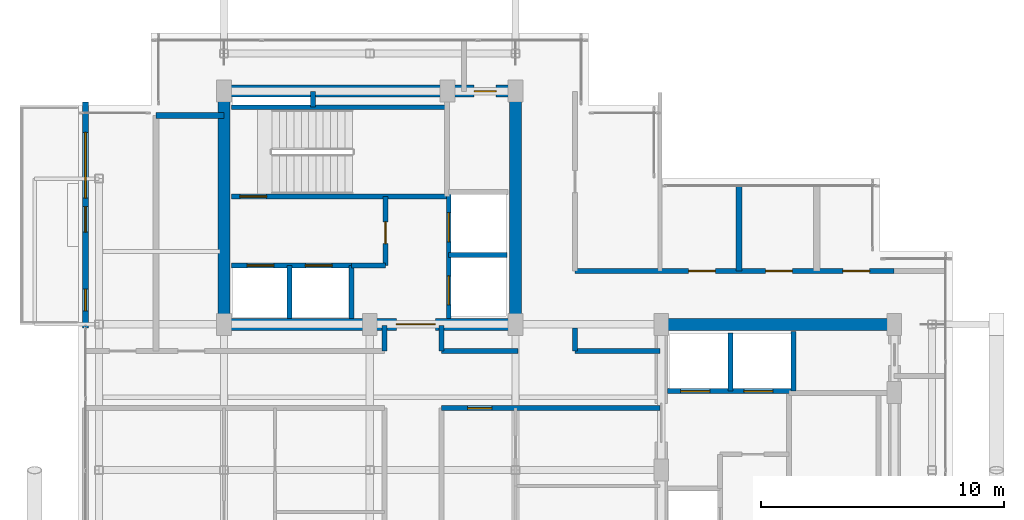
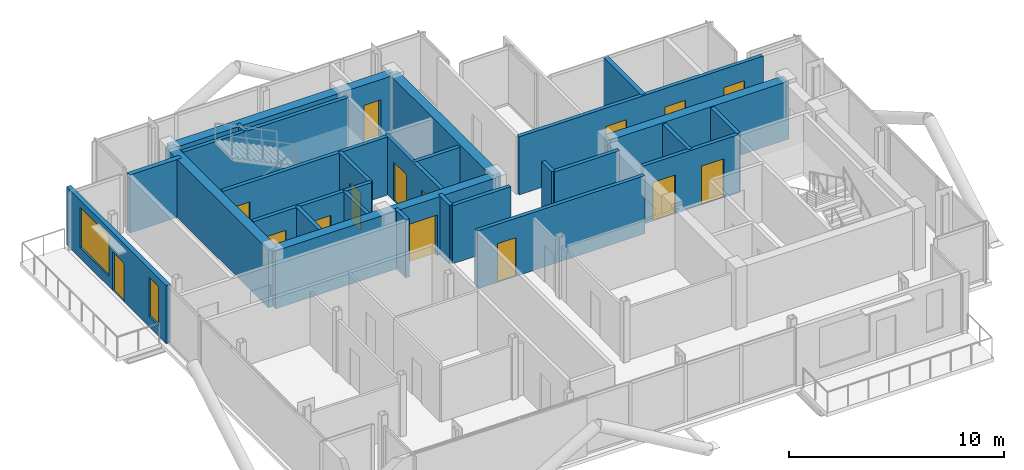
# One storey, part 16 of 19: 28 walls, 15 doors, 2 windows, 17 openings.
"""IFC4 building model written with IfcOpenShell, lengths in metres."""

from ifc_helpers import new_model, si_unit, direction, frame, frame_2d, origin, place, context, subcontext, project, spatial, rectangle, extrude, material, layer, layer_set, type_object, element, fill, save


model = new_model("IFC4")

# Units and contexts
model_context = context("Model", 3, precision=1e-05, world=origin(), true_north=direction((0.0, 1.0)))
body_context = subcontext(model_context, "Body", "Model", "MODEL_VIEW")
ifc_project = project(units=[si_unit("LENGTHUNIT", "METRE"), si_unit("AREAUNIT", "SQUARE_METRE"), si_unit("VOLUMEUNIT", "CUBIC_METRE"), si_unit("PLANEANGLEUNIT", "RADIAN"), si_unit("MASSUNIT", "GRAM", prefix="KILO"), si_unit("THERMODYNAMICTEMPERATUREUNIT", "KELVIN"), si_unit("POWERUNIT", "WATT")], contexts=[model_context])

# Site, building, storey
site_placement = place(None, origin())
site = spatial("IfcSite", under=ifc_project, at=site_placement, CompositionType="ELEMENT")
building_placement = place(site_placement, origin())
building = spatial("IfcBuilding", under=site, at=building_placement, Name="Svarakhadi Broadcast Tower", CompositionType="ELEMENT")
storey_placement = place(building_placement, frame((0.0, 0.0, 243.199951171875)))
storey = spatial("IfcBuildingStorey", under=building, at=storey_placement, Name="L60", CompositionType="ELEMENT", Elevation=243.199951171875)

# Walls
ifc_material_1 = material(Name="Double-Stud Acoustic Studio Partition STC-62", Category="gypsum")
ifc_layer_1 = layer(ifc_material_1, 0.199951171875)
ifc_layer_set_1 = layer_set([ifc_layer_1], Name="Double-Stud Acoustic Studio Partition STC-62")
wall_type_1 = type_object("IfcWallType", Name="Wall_Acoust_200", PredefinedType="PARTITIONING", material=ifc_layer_set_1)
for number, where, z_axis, x_axis, name in (
    (1, (12.60009765625, 16.89990234375, 0.0), (0.0, 0.0, 1.0), (0.0, 1.0, 0.0), "L60 Upper Tower Concourse Wall"),
    (2, (14.949951171875, 17.949951171875, 0.0), (0.0, 0.0, 1.0), (0.0, -1.0, 0.0), "L60 Upper Tower Concourse Wall"),
):
    element("IfcWall", number, at=place(storey_placement, frame(where, z_axis=z_axis, x_axis=x_axis)), inside=storey, type_object=wall_type_1, Name=name, PredefinedType="PARTITIONING", context=body_context, shape_type="SweptSolid", body=[
        extrude(rectangle(XDim=1.050048828125, YDim=0.199951171875, at=frame_2d((0.52490234375, 0.0))), origin(), (0.0, 0.0, 1.0), 3.300048828125),
    ])
wall_1_placement = place(storey_placement, frame((14.949951171875, 16.89990234375, 0.0), z_axis=(0.0, 0.0, 1.0), x_axis=(1.0, 0.0, 0.0)))
element("IfcWall", 3, at=wall_1_placement, inside=storey, type_object=wall_type_1, Name="L60 Upper Tower Concourse Wall", PredefinedType="PARTITIONING", context=body_context, shape_type="SweptSolid", body=[
    extrude(rectangle(XDim=3.150146484375, YDim=0.199951171875, at=frame_2d((1.5751953125, 0.0))), origin(), (0.0, 0.0, 1.0), 3.300048828125),
])

# Wall, openings, doors
wall_2_placement = place(storey_placement, frame((20.449951171875, 20.199951171875, 0.0), z_axis=(0.0, 0.0, 1.0), x_axis=(1.0, 0.0, 0.0)))
wall_2 = element("IfcWall", 4, at=wall_2_placement, inside=storey, type_object=wall_type_1, Name="L60 Upper Tower Concourse Wall", PredefinedType="PARTITIONING", context=body_context, shape_type="SweptSolid", body=[
    extrude(rectangle(XDim=13.130126953125, YDim=0.199951171875, at=frame_2d((6.56494140625, 0.0))), origin(), (0.0, 0.0, 1.0), 3.300048828125),
])
opening_1_placement = place(wall_2_placement, frame((4.675048828125, 0.0, 0.0)))
opening_1 = element("IfcOpeningElement", 5, at=opening_1_placement, cuts=wall_2, Name="Opening D-11", PredefinedType="OPENING", context=body_context, shape_type="SweptSolid", body=[
    extrude(rectangle(XDim=1.10009765625, YDim=2.25, at=frame_2d((0.550048828125, 1.125))), frame((0.0, 0.10986328125, 0.0), z_axis=(0.0, -1.0, 0.0), x_axis=(1.0, 0.0, 0.0)), (0.0, 0.0, 1.0), 0.219970703125),
])
opening_2_placement = place(wall_2_placement, frame((7.85009765625, 0.0, 0.0)))
opening_2 = element("IfcOpeningElement", 6, at=opening_2_placement, cuts=wall_2, Name="Opening D-10", PredefinedType="OPENING", context=body_context, shape_type="SweptSolid", body=[
    extrude(rectangle(XDim=1.10009765625, YDim=2.25, at=frame_2d((0.550048828125, 1.125))), frame((0.0, 0.10986328125, 0.0), z_axis=(0.0, -1.0, 0.0), x_axis=(1.0, 0.0, 0.0)), (0.0, 0.0, 1.0), 0.219970703125),
])
opening_3_placement = place(wall_2_placement, frame((11.02490234375, 0.0, 0.0)))
opening_3 = element("IfcOpeningElement", 7, at=opening_3_placement, cuts=wall_2, Name="Opening D-11", PredefinedType="OPENING", context=body_context, shape_type="SweptSolid", body=[
    extrude(rectangle(XDim=1.10009765625, YDim=2.25, at=frame_2d((0.550048828125, 1.125))), frame((0.0, 0.10986328125, 0.0), z_axis=(0.0, -1.0, 0.0), x_axis=(1.0, 0.0, 0.0)), (0.0, 0.0, 1.0), 0.219970703125),
])
ifc_material_2 = material(Name="Solid-Core Teak Veneer Acoustic Timber Leaf", Category="wood")
door_type_1 = type_object("IfcDoorType", Name="Door_Acoust_D10", OperationType="SINGLE_SWING_LEFT", PredefinedType="DOOR", material=ifc_material_2)
door_1_placement = place(opening_2_placement, origin())
door_1 = element("IfcDoor", 8, at=door_1_placement, inside=storey, type_object=door_type_1, Name="L60 Private Sommelier Tasting Pantry Door", OperationType="SINGLE_SWING_LEFT", OverallHeight=2.25, OverallWidth=1.10009765625, PredefinedType="DOOR", context=body_context, shape_type="SweptSolid", body=[
    extrude(rectangle(XDim=1.10009765625, YDim=2.25, at=frame_2d((0.550048828125, 1.125))), frame((0.0, 0.02490234375, 0.0), z_axis=(0.0, -1.0, 0.0), x_axis=(1.0, 0.0, 0.0)), (0.0, 0.0, 1.0), 0.050048828125),
])
fill(opening_2, door_1)
door_type_2 = type_object("IfcDoorType", Name="Door_Acoust_D11", OperationType="SINGLE_SWING_RIGHT", PredefinedType="DOOR", material=ifc_material_2)
door_2_placement = place(opening_1_placement, origin())
door_2 = element("IfcDoor", 9, at=door_2_placement, inside=storey, type_object=door_type_2, Name="L60 Harbour Sky Club Reading Room Door", OperationType="SINGLE_SWING_RIGHT", OverallHeight=2.25, OverallWidth=1.10009765625, PredefinedType="DOOR", context=body_context, shape_type="SweptSolid", body=[
    extrude(rectangle(XDim=1.10009765625, YDim=2.25, at=frame_2d((0.550048828125, 1.125))), frame((0.0, 0.02490234375, 0.0), z_axis=(0.0, -1.0, 0.0), x_axis=(1.0, 0.0, 0.0)), (0.0, 0.0, 1.0), 0.050048828125),
])
fill(opening_1, door_2)
door_3_placement = place(opening_3_placement, origin())
door_3 = element("IfcDoor", 10, at=door_3_placement, inside=storey, type_object=door_type_2, Name="L60 VIP Guest Concierge Office Door", OperationType="SINGLE_SWING_RIGHT", OverallHeight=2.25, OverallWidth=1.10009765625, PredefinedType="DOOR", context=body_context, shape_type="SweptSolid", body=[
    extrude(rectangle(XDim=1.10009765625, YDim=2.25, at=frame_2d((0.550048828125, 1.125))), frame((0.0, 0.02490234375, 0.0), z_axis=(0.0, -1.0, 0.0), x_axis=(1.0, 0.0, 0.0)), (0.0, 0.0, 1.0), 0.050048828125),
])
fill(opening_3, door_3)

# Walls
wall_3_placement = place(storey_placement, frame((20.449951171875, 17.85009765625, 0.0), z_axis=(0.0, 0.0, 1.0), x_axis=(0.0, -1.0, 0.0)))
element("IfcWall", 11, at=wall_3_placement, inside=storey, type_object=wall_type_1, Name="L60 Upper Tower Concourse Wall", PredefinedType="PARTITIONING", context=body_context, shape_type="SweptSolid", body=[
    extrude(rectangle(XDim=0.9501953125, YDim=0.199951171875, at=frame_2d((0.47509765625, 0.0))), origin(), (0.0, 0.0, 1.0), 3.300048828125),
])
wall_4_placement = place(storey_placement, frame((20.449951171875, 16.89990234375, 0.0), z_axis=(0.0, 0.0, 1.0), x_axis=(1.0, 0.0, 0.0)))
element("IfcWall", 12, at=wall_4_placement, inside=storey, type_object=wall_type_1, Name="L60 Upper Tower Concourse Wall", PredefinedType="PARTITIONING", context=body_context, shape_type="SweptSolid", body=[
    extrude(rectangle(XDim=3.5, YDim=0.199951171875, at=frame_2d((1.75, 0.0))), origin(), (0.0, 0.0, 1.0), 3.300048828125),
])

# Wall, opening, door
wall_5_placement = place(storey_placement, frame((23.949951171875, 14.550048828125, 0.0), z_axis=(0.0, 0.0, 1.0), x_axis=(-1.0, 0.0, 0.0)))
wall_5 = element("IfcWall", 13, at=wall_5_placement, inside=storey, type_object=wall_type_1, Name="L60 Upper Tower Concourse Wall", PredefinedType="PARTITIONING", context=body_context, shape_type="SweptSolid", body=[
    extrude(rectangle(XDim=9.0, YDim=0.199951171875, at=frame_2d((4.5, 0.0))), origin(), (0.0, 0.0, 1.0), 3.300048828125),
])
opening_4_placement = place(wall_5_placement, frame((6.925048828125, 0.0, 0.0)))
opening_4 = element("IfcOpeningElement", 14, at=opening_4_placement, cuts=wall_5, Name="Opening D-08", PredefinedType="OPENING", context=body_context, shape_type="SweptSolid", body=[
    extrude(rectangle(XDim=1.0, YDim=2.199951171875, at=frame_2d((0.5, 1.10009765625))), frame((0.0, 0.10986328125, 0.0), z_axis=(0.0, -1.0, 0.0), x_axis=(1.0, 0.0, 0.0)), (0.0, 0.0, 1.0), 0.219970703125),
])
door_type_3 = type_object("IfcDoorType", Name="Door_Suite_D08", OperationType="SINGLE_SWING_LEFT", PredefinedType="DOOR", material=ifc_material_2)
door_4_placement = place(opening_4_placement, origin())
door_4 = element("IfcDoor", 15, at=door_4_placement, inside=storey, type_object=door_type_3, Name="L60 Studio B Entrance Door", OperationType="SINGLE_SWING_LEFT", OverallHeight=2.199951171875, OverallWidth=1.0, PredefinedType="DOOR", context=body_context, shape_type="SweptSolid", body=[
    extrude(rectangle(XDim=1.0, YDim=2.199951171875, at=frame_2d((0.5, 1.10009765625))), frame((0.0, 0.02490234375, 0.0), z_axis=(0.0, -1.0, 0.0), x_axis=(1.0, 0.0, 0.0)), (0.0, 0.0, 1.0), 0.050048828125),
])
fill(opening_4, door_4)

# Walls
ifc_layer_2 = layer(ifc_material_1, 0.25)
ifc_layer_set_2 = layer_set([ifc_layer_2], Name="Double-Stud Acoustic Studio Partition STC-62")
wall_type_2 = type_object("IfcWallType", Name="Wall_Acoust_250", PredefinedType="PARTITIONING", material=ifc_layer_set_2)
wall_6_placement = place(storey_placement, frame((27.199951171875, 20.199951171875, 0.0), z_axis=(0.0, 0.0, 1.0), x_axis=(0.0, 1.0, 0.0)))
element("IfcWall", 16, at=wall_6_placement, inside=storey, type_object=wall_type_2, Name="L60 Harbour Sky Club Reading Room Wall", PredefinedType="PARTITIONING", context=body_context, shape_type="SweptSolid", body=[
    extrude(rectangle(XDim=3.5, YDim=0.25, at=frame_2d((1.75, 0.0))), origin(), (0.0, 0.0, 1.0), 3.300048828125),
])
wall_7_placement = place(storey_placement, frame((3.199951171875, 26.60009765625, 0.0), z_axis=(0.0, 0.0, 1.0), x_axis=(1.0, 0.0, 0.0)))
element("IfcWall", 17, at=wall_7_placement, inside=storey, type_object=wall_type_2, Name="L60 Residents Study Office Wall", PredefinedType="PARTITIONING", context=body_context, shape_type="SweptSolid", body=[
    extrude(rectangle(XDim=2.800048828125, YDim=0.25, at=frame_2d((1.39990234375, 0.0))), origin(), (0.0, 0.0, 1.0), 3.300048828125),
])

# Wall, openings, door, windows
ifc_material_3 = material(Name="Concrete C40/50 (IS 456 M50)", Category="concrete")
ifc_layer_3 = layer(ifc_material_3, 0.239990234375)
ifc_layer_set_3 = layer_set([ifc_layer_3], Name="Concrete C40/50 (IS 456 M50)")
wall_type_3 = type_object("IfcWallType", Name="Wall_Ext_240", PredefinedType="SOLIDWALL", material=ifc_layer_set_3)
wall_8_placement = place(storey_placement, frame((0.300048828125, 17.85498046875, 0.0), z_axis=(0.0, 0.0, 1.0), x_axis=(0.0, 1.0, 0.0)))
wall_8 = element("IfcWall", 18, at=wall_8_placement, inside=storey, type_object=wall_type_3, Name="L60 West Tree Balcony Spandrel Wall", PredefinedType="SOLIDWALL", context=body_context, shape_type="SweptSolid", body=[
    extrude(rectangle(XDim=9.2900390625, YDim=0.239990234375, at=frame_2d((4.64501953125, 0.0))), origin(), (0.0, 0.0, 1.0), 3.300048828125),
])
opening_5_placement = place(wall_8_placement, frame((3.945068359375, 0.0, 0.0)))
opening_5 = element("IfcOpeningElement", 19, at=opening_5_placement, cuts=wall_8, Name="Opening ED-05", PredefinedType="OPENING", context=body_context, shape_type="SweptSolid", body=[
    extrude(rectangle(XDim=1.050048828125, YDim=2.199951171875, at=frame_2d((0.52490234375, 1.10009765625))), frame((0.0, 0.1298828125, 0.0), z_axis=(0.0, -1.0, 0.0), x_axis=(1.0, 0.0, 0.0)), (0.0, 0.0, 1.0), 0.260009765625),
])
opening_6_placement = place(wall_8_placement, frame((5.344970703125, 0.0, 0.60009765625)))
opening_6 = element("IfcOpeningElement", 20, at=opening_6_placement, cuts=wall_8, Name="Opening WN-07", PredefinedType="OPENING", context=body_context, shape_type="SweptSolid", body=[
    extrude(rectangle(XDim=2.699951171875, YDim=2.300048828125, at=frame_2d((1.35009765625, 1.14990234375))), frame((0.0, 0.1298828125, 0.0), z_axis=(0.0, -1.0, 0.0), x_axis=(1.0, 0.0, 0.0)), (0.0, 0.0, 1.0), 0.260009765625),
])
opening_7_placement = place(wall_8_placement, frame((0.699951171875, 0.0, 0.60009765625)))
opening_7 = element("IfcOpeningElement", 21, at=opening_7_placement, cuts=wall_8, Name="Opening WN-04", PredefinedType="OPENING", context=body_context, shape_type="SweptSolid", body=[
    extrude(rectangle(XDim=0.89990234375, YDim=2.199951171875, at=frame_2d((0.449951171875, 1.10009765625))), frame((0.0, 0.1298828125, 0.0), z_axis=(0.0, -1.0, 0.0), x_axis=(1.0, 0.0, 0.0)), (0.0, 0.0, 1.0), 0.260009765625),
])
ifc_material_4 = material(Name="Anodised Bronze Aluminium AA 6063-T6", Category="aluminium")
door_type_4 = type_object("IfcDoorType", Name="Door_Ext_ED05", OperationType="SINGLE_SWING_LEFT", PredefinedType="DOOR", material=ifc_material_4)
door_5_placement = place(opening_5_placement, origin())
door_5 = element("IfcDoor", 22, at=door_5_placement, inside=storey, type_object=door_type_4, Name="L60 West Tree Balcony Door", OperationType="SINGLE_SWING_LEFT", OverallHeight=2.199951171875, OverallWidth=1.050048828125, PredefinedType="DOOR", context=body_context, shape_type="SweptSolid", body=[
    extrude(rectangle(XDim=1.050048828125, YDim=2.199951171875, at=frame_2d((0.52490234375, 1.10009765625))), frame((0.0, 0.02490234375, 0.0), z_axis=(0.0, -1.0, 0.0), x_axis=(1.0, 0.0, 0.0)), (0.0, 0.0, 1.0), 0.050048828125),
])
fill(opening_5, door_5)
ifc_material_5 = material(Name="Double Low-E Laminated Acoustic Glass IGU 36 mm", Category="glass")
window_type_1 = type_object("IfcWindowType", Name="Win_Resi_WN07", PartitioningType="SINGLE_PANEL", PredefinedType="WINDOW", material=ifc_material_5)
window_1_placement = place(opening_6_placement, origin())
window_1 = element("IfcWindow", 23, at=window_1_placement, inside=storey, type_object=window_type_1, Name="L60 West Tree Balcony Window", OverallHeight=2.300048828125, OverallWidth=2.699951171875, PartitioningType="SINGLE_PANEL", PredefinedType="WINDOW", context=body_context, shape_type="SweptSolid", body=[
    extrude(rectangle(XDim=2.699951171875, YDim=2.300048828125, at=frame_2d((1.35009765625, 1.14990234375))), frame((0.0, 0.030029296875, 0.0), z_axis=(0.0, -1.0, 0.0), x_axis=(1.0, 0.0, 0.0)), (0.0, 0.0, 1.0), 0.06005859375),
])
fill(opening_6, window_1)
window_type_2 = type_object("IfcWindowType", Name="Win_Slot_WN04", PartitioningType="SINGLE_PANEL", PredefinedType="WINDOW", material=ifc_material_5)
window_2_placement = place(opening_7_placement, origin())
window_2 = element("IfcWindow", 24, at=window_2_placement, inside=storey, type_object=window_type_2, Name="L60 West Secondary Bedroom Slot Window", OverallHeight=2.199951171875, OverallWidth=0.89990234375, PartitioningType="SINGLE_PANEL", PredefinedType="WINDOW", context=body_context, shape_type="SweptSolid", body=[
    extrude(rectangle(XDim=0.89990234375, YDim=2.199951171875, at=frame_2d((0.449951171875, 1.10009765625))), frame((0.0, 0.030029296875, 0.0), z_axis=(0.0, -1.0, 0.0), x_axis=(1.0, 0.0, 0.0)), (0.0, 0.0, 1.0), 0.06005859375),
])
fill(opening_7, window_2)

# Wall
ifc_layer_4 = layer(ifc_material_3, 0.199951171875)
ifc_layer_set_4 = layer_set([ifc_layer_4], Name="Concrete C40/50 (IS 456 M50)")
wall_type_4 = type_object("IfcWallType", Name="Wall_Fire_200", PredefinedType="SOLIDWALL", material=ifc_layer_set_4)
wall_9_placement = place(storey_placement, frame((9.659912109375, 26.93994140625, 0.0), z_axis=(0.0, 0.0, 1.0), x_axis=(0.0, 1.0, 0.0)))
element("IfcWall", 25, at=wall_9_placement, inside=storey, type_object=wall_type_4, Name="L60 Wet Riser Shaft East Wall", PredefinedType="SOLIDWALL", context=body_context, shape_type="SweptSolid", body=[
    extrude(rectangle(XDim=0.64013671875, YDim=0.199951171875, at=frame_2d((0.320068359375, 0.0))), origin(), (0.0, 0.0, 1.0), 3.300048828125),
])

# Wall, opening, door
ifc_material_6 = material(Name="Concrete C50/60 (IS 456 M60)", Category="concrete")
ifc_layer_5 = layer(ifc_material_6, 0.199951171875)
ifc_layer_set_5 = layer_set([ifc_layer_5], Name="Concrete C50/60 (IS 456 M60)")
wall_type_5 = type_object("IfcWallType", Name="Wall_Shear_200", PredefinedType="SHEAR", material=ifc_layer_set_5)
wall_10_placement = place(storey_placement, frame((6.300048828125, 23.260009765625, 0.0), z_axis=(0.0, 0.0, 1.0), x_axis=(1.0, 0.0, 0.0)))
wall_10 = element("IfcWall", 26, at=wall_10_placement, inside=storey, type_object=wall_type_5, Name="L60 Stair ST-01 South RC Shaft Wall", PredefinedType="SHEAR", context=body_context, shape_type="SweptSolid", body=[
    extrude(rectangle(XDim=8.8798828125, YDim=0.199951171875, at=frame_2d((4.43994140625, 0.0))), origin(), (0.0, 0.0, 1.0), 3.300048828125),
])
opening_8_placement = place(wall_10_placement, frame((0.35009765625, 0.0, 0.0)))
opening_8 = element("IfcOpeningElement", 27, at=opening_8_placement, cuts=wall_10, Name="Opening D-01", PredefinedType="OPENING", context=body_context, shape_type="SweptSolid", body=[
    extrude(rectangle(XDim=1.10009765625, YDim=2.199951171875, at=frame_2d((0.550048828125, 1.10009765625))), frame((0.0, 0.10986328125, 0.0), z_axis=(0.0, -1.0, 0.0), x_axis=(1.0, 0.0, 0.0)), (0.0, 0.0, 1.0), 0.219970703125),
])
ifc_material_7 = material(Name="Galvanised Powder-Coated Fire-Rated Steel Leaf", Category="steel")
door_type_5 = type_object("IfcDoorType", Name="Door_Stair_D01", OperationType="SINGLE_SWING_LEFT", PredefinedType="DOOR", material=ifc_material_7)
door_6_placement = place(opening_8_placement, origin())
door_6 = element("IfcDoor", 28, at=door_6_placement, inside=storey, type_object=door_type_5, Name="L60 Protected Exit Stair ST-01 Fire Door", OperationType="SINGLE_SWING_LEFT", OverallHeight=2.199951171875, OverallWidth=1.10009765625, PredefinedType="DOOR", context=body_context, shape_type="SweptSolid", body=[
    extrude(rectangle(XDim=1.10009765625, YDim=2.199951171875, at=frame_2d((0.550048828125, 1.10009765625))), frame((0.0, 0.02490234375, 0.0), z_axis=(0.0, -1.0, 0.0), x_axis=(1.0, 0.0, 0.0)), (0.0, 0.0, 1.0), 0.050048828125),
])
fill(opening_8, door_6)

# Wall
wall_11_placement = place(storey_placement, frame((6.300048828125, 26.93994140625, 0.0), z_axis=(0.0, 0.0, 1.0), x_axis=(1.0, 0.0, 0.0)))
element("IfcWall", 29, at=wall_11_placement, inside=storey, type_object=wall_type_5, Name="L60 Stair ST-01 North RC Shaft Wall", PredefinedType="SHEAR", context=body_context, shape_type="SweptSolid", body=[
    extrude(rectangle(XDim=8.8798828125, YDim=0.199951171875, at=frame_2d((4.43994140625, 0.0))), origin(), (0.0, 0.0, 1.0), 3.300048828125),
])

# Wall, openings, doors
wall_12_placement = place(storey_placement, frame((6.300048828125, 20.419921875, 0.0), z_axis=(0.0, 0.0, 1.0), x_axis=(1.0, 0.0, 0.0)))
wall_12 = element("IfcWall", 30, at=wall_12_placement, inside=storey, type_object=wall_type_5, Name="L60 Firefighting Lift LF-01/02 Shaft Wall", PredefinedType="SHEAR", context=body_context, shape_type="SweptSolid", body=[
    extrude(rectangle(XDim=4.949951171875, YDim=0.199951171875, at=frame_2d((2.47509765625, 0.0))), origin(), (0.0, 0.0, 1.0), 3.300048828125),
])
opening_9_placement = place(wall_12_placement, frame((0.64990234375, 0.0, 0.0)))
opening_9 = element("IfcOpeningElement", 31, at=opening_9_placement, cuts=wall_12, Name="Opening LD-01", PredefinedType="OPENING", context=body_context, shape_type="SweptSolid", body=[
    extrude(rectangle(XDim=1.10009765625, YDim=2.199951171875, at=frame_2d((0.550048828125, 1.10009765625))), frame((0.0, 0.10986328125, 0.0), z_axis=(0.0, -1.0, 0.0), x_axis=(1.0, 0.0, 0.0)), (0.0, 0.0, 1.0), 0.219970703125),
])
opening_10_placement = place(wall_12_placement, frame((3.050048828125, 0.0, 0.0)))
opening_10 = element("IfcOpeningElement", 32, at=opening_10_placement, cuts=wall_12, Name="Opening LD-01", PredefinedType="OPENING", context=body_context, shape_type="SweptSolid", body=[
    extrude(rectangle(XDim=1.10009765625, YDim=2.199951171875, at=frame_2d((0.550048828125, 1.10009765625))), frame((0.0, 0.10986328125, 0.0), z_axis=(0.0, -1.0, 0.0), x_axis=(1.0, 0.0, 0.0)), (0.0, 0.0, 1.0), 0.219970703125),
])
door_type_6 = type_object("IfcDoorType", Name="Door_Lift_LD01", OperationType="SLIDING_TO_LEFT", PredefinedType="DOOR", material=ifc_material_7)
door_7_placement = place(opening_9_placement, origin())
door_7 = element("IfcDoor", 33, at=door_7_placement, inside=storey, type_object=door_type_6, Name="L60 Firefighting Lift LF-01 Landing Door", OperationType="SLIDING_TO_LEFT", OverallHeight=2.199951171875, OverallWidth=1.10009765625, PredefinedType="DOOR", context=body_context, shape_type="SweptSolid", body=[
    extrude(rectangle(XDim=1.10009765625, YDim=2.199951171875, at=frame_2d((0.550048828125, 1.10009765625))), frame((0.0, 0.02490234375, 0.0), z_axis=(0.0, -1.0, 0.0), x_axis=(1.0, 0.0, 0.0)), (0.0, 0.0, 1.0), 0.050048828125),
])
fill(opening_9, door_7)
door_8_placement = place(opening_10_placement, origin())
door_8 = element("IfcDoor", 34, at=door_8_placement, inside=storey, type_object=door_type_6, Name="L60 Firefighting Lift LF-02 Landing Door", OperationType="SLIDING_TO_LEFT", OverallHeight=2.199951171875, OverallWidth=1.10009765625, PredefinedType="DOOR", context=body_context, shape_type="SweptSolid", body=[
    extrude(rectangle(XDim=1.10009765625, YDim=2.199951171875, at=frame_2d((0.550048828125, 1.10009765625))), frame((0.0, 0.02490234375, 0.0), z_axis=(0.0, -1.0, 0.0), x_axis=(1.0, 0.0, 0.0)), (0.0, 0.0, 1.0), 0.050048828125),
])
fill(opening_10, door_8)

# Walls
for number, where, z_axis, x_axis, name in (
    (35, (8.699951171875, 18.25, 0.0), (0.0, 0.0, 1.0), (0.0, 1.0, 0.0), "L60 Firefighting Lift LF-01/02 Divider Wall"),
    (36, (11.25, 18.25, 0.0), (0.0, 0.0, 1.0), (0.0, 1.0, 0.0), "L60 Firefighting Lift LF-02 East Wall"),
):
    element("IfcWall", number, at=place(storey_placement, frame(where, z_axis=z_axis, x_axis=x_axis)), inside=storey, type_object=wall_type_5, Name=name, PredefinedType="SHEAR", context=body_context, shape_type="SweptSolid", body=[
        extrude(rectangle(XDim=2.169921875, YDim=0.199951171875, at=frame_2d((1.0849609375, 0.0))), origin(), (0.0, 0.0, 1.0), 3.300048828125),
    ])
wall_13_placement = place(storey_placement, frame((11.25, 20.419921875, 0.0), z_axis=(0.0, 0.0, 1.0), x_axis=(1.0, 0.0, 0.0)))
element("IfcWall", 37, at=wall_13_placement, inside=storey, type_object=wall_type_5, Name="L60 West Firefighting Lobby South Wall", PredefinedType="SHEAR", context=body_context, shape_type="SweptSolid", body=[
    extrude(rectangle(XDim=1.39990234375, YDim=0.199951171875, at=frame_2d((0.699951171875, 0.0))), origin(), (0.0, 0.0, 1.0), 3.300048828125),
])

# Wall, opening, door
wall_14_placement = place(storey_placement, frame((12.64990234375, 20.419921875, 0.0), z_axis=(0.0, 0.0, 1.0), x_axis=(0.0, 1.0, 0.0)))
wall_14 = element("IfcWall", 38, at=wall_14_placement, inside=storey, type_object=wall_type_5, Name="L60 West Firefighting Lobby East Wall", PredefinedType="SHEAR", context=body_context, shape_type="SweptSolid", body=[
    extrude(rectangle(XDim=2.840087890625, YDim=0.199951171875, at=frame_2d((1.419921875, 0.0))), origin(), (0.0, 0.0, 1.0), 3.300048828125),
])
opening_11_placement = place(wall_14_placement, frame((0.89990234375, 0.0, 0.0)))
opening_11 = element("IfcOpeningElement", 39, at=opening_11_placement, cuts=wall_14, Name="Opening D-04", PredefinedType="OPENING", context=body_context, shape_type="SweptSolid", body=[
    extrude(rectangle(XDim=0.89990234375, YDim=2.14990234375, at=frame_2d((0.449951171875, 1.074951171875))), frame((0.0, 0.10986328125, 0.0), z_axis=(0.0, -1.0, 0.0), x_axis=(1.0, 0.0, 0.0)), (0.0, 0.0, 1.0), 0.219970703125),
])
door_type_7 = type_object("IfcDoorType", Name="Door_Fire_D04", OperationType="SINGLE_SWING_RIGHT", PredefinedType="DOOR", material=ifc_material_7)
door_9_placement = place(opening_11_placement, origin())
door_9 = element("IfcDoor", 40, at=door_9_placement, inside=storey, type_object=door_type_7, Name="L60 West Firefighting Lobby Fire Door", OperationType="SINGLE_SWING_RIGHT", OverallHeight=2.14990234375, OverallWidth=0.89990234375, PredefinedType="DOOR", context=body_context, shape_type="SweptSolid", body=[
    extrude(rectangle(XDim=0.89990234375, YDim=2.14990234375, at=frame_2d((0.449951171875, 1.074951171875))), frame((0.0, 0.02490234375, 0.0), z_axis=(0.0, -1.0, 0.0), x_axis=(1.0, 0.0, 0.0)), (0.0, 0.0, 1.0), 0.050048828125),
])
fill(opening_11, door_9)

# Wall, openings, doors
wall_15_placement = place(storey_placement, frame((15.25, 18.25, 0.0), z_axis=(0.0, 0.0, 1.0), x_axis=(0.0, 1.0, 0.0)))
wall_15 = element("IfcWall", 41, at=wall_15_placement, inside=storey, type_object=wall_type_5, Name="L60 High-Rise Lift LF-13/14 West Shaft Wall", PredefinedType="SHEAR", context=body_context, shape_type="SweptSolid", body=[
    extrude(rectangle(XDim=5.199951171875, YDim=0.199951171875, at=frame_2d((2.60009765625, 0.0))), origin(), (0.0, 0.0, 1.0), 3.300048828125),
])
opening_12_placement = place(wall_15_placement, frame((0.550048828125, 0.0, 0.0)))
opening_12 = element("IfcOpeningElement", 42, at=opening_12_placement, cuts=wall_15, Name="Opening LD-02", PredefinedType="OPENING", context=body_context, shape_type="SweptSolid", body=[
    extrude(rectangle(XDim=1.199951171875, YDim=2.199951171875, at=frame_2d((0.60009765625, 1.10009765625))), frame((0.0, 0.10986328125, 0.0), z_axis=(0.0, -1.0, 0.0), x_axis=(1.0, 0.0, 0.0)), (0.0, 0.0, 1.0), 0.219970703125),
])
opening_13_placement = place(wall_15_placement, frame((3.14990234375, 0.0, 0.0)))
opening_13 = element("IfcOpeningElement", 43, at=opening_13_placement, cuts=wall_15, Name="Opening LD-02", PredefinedType="OPENING", context=body_context, shape_type="SweptSolid", body=[
    extrude(rectangle(XDim=1.199951171875, YDim=2.199951171875, at=frame_2d((0.60009765625, 1.10009765625))), frame((0.0, 0.10986328125, 0.0), z_axis=(0.0, -1.0, 0.0), x_axis=(1.0, 0.0, 0.0)), (0.0, 0.0, 1.0), 0.219970703125),
])
door_type_8 = type_object("IfcDoorType", Name="Door_Lift_LD02", OperationType="SLIDING_TO_RIGHT", PredefinedType="DOOR", material=ifc_material_7)
door_10_placement = place(opening_12_placement, origin())
door_10 = element("IfcDoor", 44, at=door_10_placement, inside=storey, type_object=door_type_8, Name="L60 High-Rise Lift LF-13 Landing Door", OperationType="SLIDING_TO_RIGHT", OverallHeight=2.199951171875, OverallWidth=1.199951171875, PredefinedType="DOOR", context=body_context, shape_type="SweptSolid", body=[
    extrude(rectangle(XDim=1.199951171875, YDim=2.199951171875, at=frame_2d((0.60009765625, 1.10009765625))), frame((0.0, 0.02490234375, 0.0), z_axis=(0.0, -1.0, 0.0), x_axis=(1.0, 0.0, 0.0)), (0.0, 0.0, 1.0), 0.050048828125),
])
fill(opening_12, door_10)
door_11_placement = place(opening_13_placement, origin())
door_11 = element("IfcDoor", 45, at=door_11_placement, inside=storey, type_object=door_type_8, Name="L60 High-Rise Lift LF-14 Landing Door", OperationType="SLIDING_TO_RIGHT", OverallHeight=2.199951171875, OverallWidth=1.199951171875, PredefinedType="DOOR", context=body_context, shape_type="SweptSolid", body=[
    extrude(rectangle(XDim=1.199951171875, YDim=2.199951171875, at=frame_2d((0.60009765625, 1.10009765625))), frame((0.0, 0.02490234375, 0.0), z_axis=(0.0, -1.0, 0.0), x_axis=(1.0, 0.0, 0.0)), (0.0, 0.0, 1.0), 0.050048828125),
])
fill(opening_13, door_11)

# Wall
wall_16_placement = place(storey_placement, frame((15.25, 20.85009765625, 0.0), z_axis=(0.0, 0.0, 1.0), x_axis=(1.0, 0.0, 0.0)))
element("IfcWall", 46, at=wall_16_placement, inside=storey, type_object=wall_type_5, Name="L60 High-Rise Lift LF-13/14 Divider", PredefinedType="SHEAR", context=body_context, shape_type="SweptSolid", body=[
    extrude(rectangle(XDim=2.39990234375, YDim=0.199951171875, at=frame_2d((1.199951171875, 0.0))), origin(), (0.0, 0.0, 1.0), 3.300048828125),
])

# Wall, openings, doors
wall_17_placement = place(storey_placement, frame((24.25, 15.25, 0.0), z_axis=(0.0, 0.0, 1.0), x_axis=(1.0, 0.0, 0.0)))
wall_17 = element("IfcWall", 47, at=wall_17_placement, inside=storey, type_object=wall_type_5, Name="L60 High-Rise Lift LF-15/16 South Shaft Wall", PredefinedType="SHEAR", context=body_context, shape_type="SweptSolid", body=[
    extrude(rectangle(XDim=5.199951171875, YDim=0.199951171875, at=frame_2d((2.60009765625, 0.0))), origin(), (0.0, 0.0, 1.0), 3.300048828125),
])
opening_14_placement = place(wall_17_placement, frame((0.550048828125, 0.0, 0.0)))
opening_14 = element("IfcOpeningElement", 48, at=opening_14_placement, cuts=wall_17, Name="Opening LD-02", PredefinedType="OPENING", context=body_context, shape_type="SweptSolid", body=[
    extrude(rectangle(XDim=1.199951171875, YDim=2.199951171875, at=frame_2d((0.60009765625, 1.10009765625))), frame((0.0, 0.10986328125, 0.0), z_axis=(0.0, -1.0, 0.0), x_axis=(1.0, 0.0, 0.0)), (0.0, 0.0, 1.0), 0.219970703125),
])
opening_15_placement = place(wall_17_placement, frame((3.14990234375, 0.0, 0.0)))
opening_15 = element("IfcOpeningElement", 49, at=opening_15_placement, cuts=wall_17, Name="Opening LD-02", PredefinedType="OPENING", context=body_context, shape_type="SweptSolid", body=[
    extrude(rectangle(XDim=1.199951171875, YDim=2.199951171875, at=frame_2d((0.60009765625, 1.10009765625))), frame((0.0, 0.10986328125, 0.0), z_axis=(0.0, -1.0, 0.0), x_axis=(1.0, 0.0, 0.0)), (0.0, 0.0, 1.0), 0.219970703125),
])
door_12_placement = place(opening_14_placement, origin())
door_12 = element("IfcDoor", 50, at=door_12_placement, inside=storey, type_object=door_type_8, Name="L60 High-Rise Lift LF-15 Landing Door", OperationType="SLIDING_TO_RIGHT", OverallHeight=2.199951171875, OverallWidth=1.199951171875, PredefinedType="DOOR", context=body_context, shape_type="SweptSolid", body=[
    extrude(rectangle(XDim=1.199951171875, YDim=2.199951171875, at=frame_2d((0.60009765625, 1.10009765625))), frame((0.0, 0.02490234375, 0.0), z_axis=(0.0, -1.0, 0.0), x_axis=(1.0, 0.0, 0.0)), (0.0, 0.0, 1.0), 0.050048828125),
])
fill(opening_14, door_12)
door_13_placement = place(opening_15_placement, origin())
door_13 = element("IfcDoor", 51, at=door_13_placement, inside=storey, type_object=door_type_8, Name="L60 High-Rise Lift LF-16 Landing Door", OperationType="SLIDING_TO_RIGHT", OverallHeight=2.199951171875, OverallWidth=1.199951171875, PredefinedType="DOOR", context=body_context, shape_type="SweptSolid", body=[
    extrude(rectangle(XDim=1.199951171875, YDim=2.199951171875, at=frame_2d((0.60009765625, 1.10009765625))), frame((0.0, 0.02490234375, 0.0), z_axis=(0.0, -1.0, 0.0), x_axis=(1.0, 0.0, 0.0)), (0.0, 0.0, 1.0), 0.050048828125),
])
fill(opening_15, door_13)

# Walls
wall_18_placement = place(storey_placement, frame((26.85009765625, 15.25, 0.0), z_axis=(0.0, 0.0, 1.0), x_axis=(0.0, 1.0, 0.0)))
element("IfcWall", 52, at=wall_18_placement, inside=storey, type_object=wall_type_5, Name="L60 High-Rise Lift LF-15/16 Divider", PredefinedType="SHEAR", context=body_context, shape_type="SweptSolid", body=[
    extrude(rectangle(XDim=2.39990234375, YDim=0.199951171875, at=frame_2d((1.199951171875, 0.0))), origin(), (0.0, 0.0, 1.0), 3.300048828125),
])
wall_19_placement = place(storey_placement, frame((29.449951171875, 15.25, 0.0), z_axis=(0.0, 0.0, 1.0), x_axis=(0.0, 1.0, 0.0)))
element("IfcWall", 53, at=wall_19_placement, inside=storey, type_object=wall_type_5, Name="L60 High-Rise Lift LF-15/16 East Wall", PredefinedType="SHEAR", context=body_context, shape_type="SweptSolid", body=[
    extrude(rectangle(XDim=2.449951171875, YDim=0.199951171875, at=frame_2d((1.22509765625, 0.0))), origin(), (0.0, 0.0, 1.0), 3.300048828125),
])

# Wall, opening, door
ifc_layer_6 = layer(ifc_material_6, 0.5)
ifc_layer_set_6 = layer_set([ifc_layer_6], Name="Concrete C50/60 (IS 456 M60)")
wall_type_6 = type_object("IfcWallType", Name="Wall_Shear_500", PredefinedType="SHEAR", material=ifc_layer_set_6)
wall_20_placement = place(storey_placement, frame((6.0, 18.0, 0.0), z_axis=(0.0, 0.0, 1.0), x_axis=(1.0, 0.0, 0.0)))
wall_20 = element("IfcWall", 54, at=wall_20_placement, inside=storey, type_object=wall_type_6, Name="L60 West Core South Shear Wall", PredefinedType="SHEAR", context=body_context, shape_type="SweptSolid", body=[
    extrude(rectangle(XDim=12.0, YDim=0.5, at=frame_2d((6.0, 0.0))), origin(), (0.0, 0.0, 1.0), 3.300048828125),
])
opening_16_placement = place(wall_20_placement, frame((7.10009765625, 0.0, 0.0)))
opening_16 = element("IfcOpeningElement", 55, at=opening_16_placement, cuts=wall_20, Name="Opening D-05", PredefinedType="OPENING", context=body_context, shape_type="SweptSolid", body=[
    extrude(rectangle(XDim=1.60009765625, YDim=2.300048828125, at=frame_2d((0.800048828125, 1.14990234375))), frame((0.0, 0.260009765625, 0.0), z_axis=(0.0, -1.0, 0.0), x_axis=(1.0, 0.0, 0.0)), (0.0, 0.0, 1.0), 0.52001953125),
])
door_type_9 = type_object("IfcDoorType", Name="Door_Lobby_D05", OperationType="DOUBLE_DOOR_SLIDING", PredefinedType="DOOR", material=ifc_material_4)
door_14_placement = place(opening_16_placement, origin())
door_14 = element("IfcDoor", 56, at=door_14_placement, inside=storey, type_object=door_type_9, Name="L60 West Core Passenger Lift Lobby Entrance Door", OperationType="DOUBLE_DOOR_SLIDING", OverallHeight=2.300048828125, OverallWidth=1.60009765625, PredefinedType="DOOR", context=body_context, shape_type="SweptSolid", body=[
    extrude(rectangle(XDim=1.60009765625, YDim=2.300048828125, at=frame_2d((0.800048828125, 1.14990234375))), frame((0.0, 0.02490234375, 0.0), z_axis=(0.0, -1.0, 0.0), x_axis=(1.0, 0.0, 0.0)), (0.0, 0.0, 1.0), 0.050048828125),
])
fill(opening_16, door_14)

wall_21_placement = place(storey_placement, frame((6.0, 27.60009765625, 0.0), z_axis=(0.0, 0.0, 1.0), x_axis=(1.0, 0.0, 0.0)))
wall_21 = element("IfcWall", 57, at=wall_21_placement, inside=storey, type_object=wall_type_6, Name="L60 West Core North Shear Wall", PredefinedType="SHEAR", context=body_context, shape_type="SweptSolid", body=[
    extrude(rectangle(XDim=12.0, YDim=0.5, at=frame_2d((6.0, 0.0))), origin(), (0.0, 0.0, 1.0), 3.300048828125),
])
opening_17_placement = place(wall_21_placement, frame((10.300048828125, 0.0, 0.0)))
opening_17 = element("IfcOpeningElement", 58, at=opening_17_placement, cuts=wall_21, Name="Opening D-03", PredefinedType="OPENING", context=body_context, shape_type="SweptSolid", body=[
    extrude(rectangle(XDim=0.89990234375, YDim=2.14990234375, at=frame_2d((0.449951171875, 1.074951171875))), frame((0.0, 0.260009765625, 0.0), z_axis=(0.0, -1.0, 0.0), x_axis=(1.0, 0.0, 0.0)), (0.0, 0.0, 1.0), 0.52001953125),
])
door_type_10 = type_object("IfcDoorType", Name="Door_Fire_D03", OperationType="SINGLE_SWING_LEFT", PredefinedType="DOOR", material=ifc_material_7)
door_15_placement = place(opening_17_placement, origin())
door_15 = element("IfcDoor", 59, at=door_15_placement, inside=storey, type_object=door_type_10, Name="L60 Core Service Room West Door", OperationType="SINGLE_SWING_LEFT", OverallHeight=2.14990234375, OverallWidth=0.89990234375, PredefinedType="DOOR", context=body_context, shape_type="SweptSolid", body=[
    extrude(rectangle(XDim=0.89990234375, YDim=2.14990234375, at=frame_2d((0.449951171875, 1.074951171875))), frame((0.0, 0.02490234375, 0.0), z_axis=(0.0, -1.0, 0.0), x_axis=(1.0, 0.0, 0.0)), (0.0, 0.0, 1.0), 0.050048828125),
])
fill(opening_17, door_15)

# Walls
for number, where, z_axis, x_axis, name in (
    (60, (6.0, 18.0, 0.0), (0.0, 0.0, 1.0), (0.0, 1.0, 0.0), "L60 West Core West Shear Wall"),
    (61, (18.0, 18.0, 0.0), (0.0, 0.0, 1.0), (0.0, 1.0, 0.0), "L60 West Core East Shear Wall"),
    (62, (24.0, 18.0, 0.0), (0.0, 0.0, 1.0), (1.0, 0.0, 0.0), "L60 East Core North Shear Wall"),
):
    element("IfcWall", number, at=place(storey_placement, frame(where, z_axis=z_axis, x_axis=x_axis)), inside=storey, type_object=wall_type_6, Name=name, PredefinedType="SHEAR", context=body_context, shape_type="SweptSolid", body=[
        extrude(rectangle(XDim=9.60009765625, YDim=0.5, at=frame_2d((4.800048828125, 0.0))), origin(), (0.0, 0.0, 1.0), 3.300048828125),
    ])

save(model, "model.ifc")
